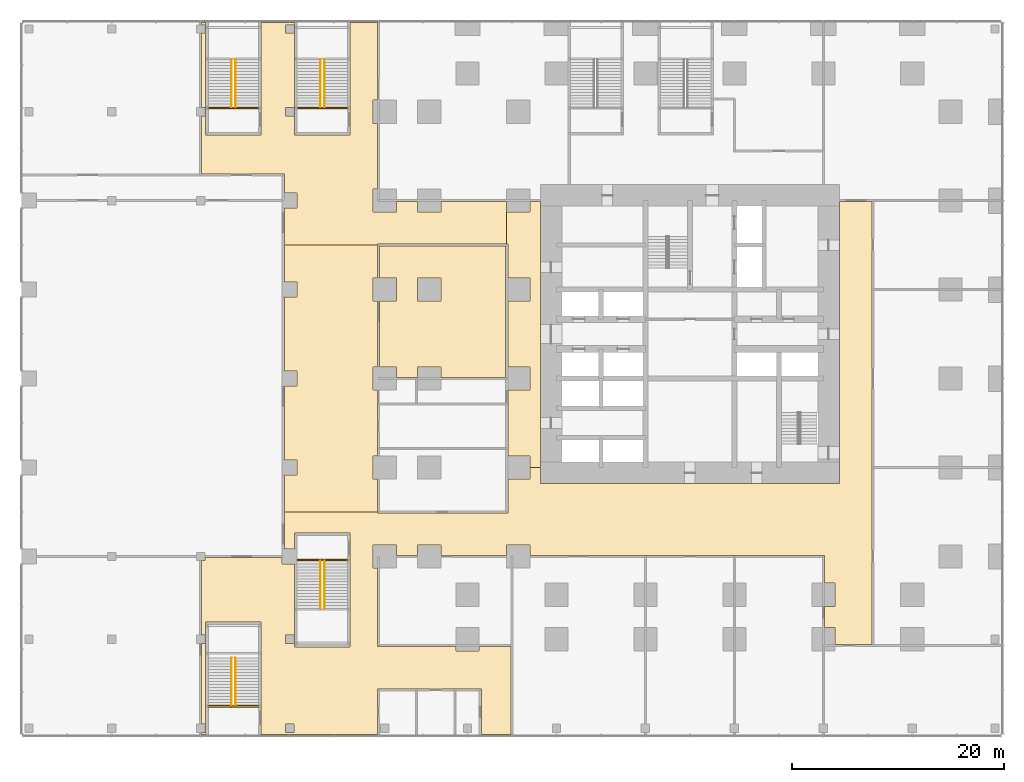
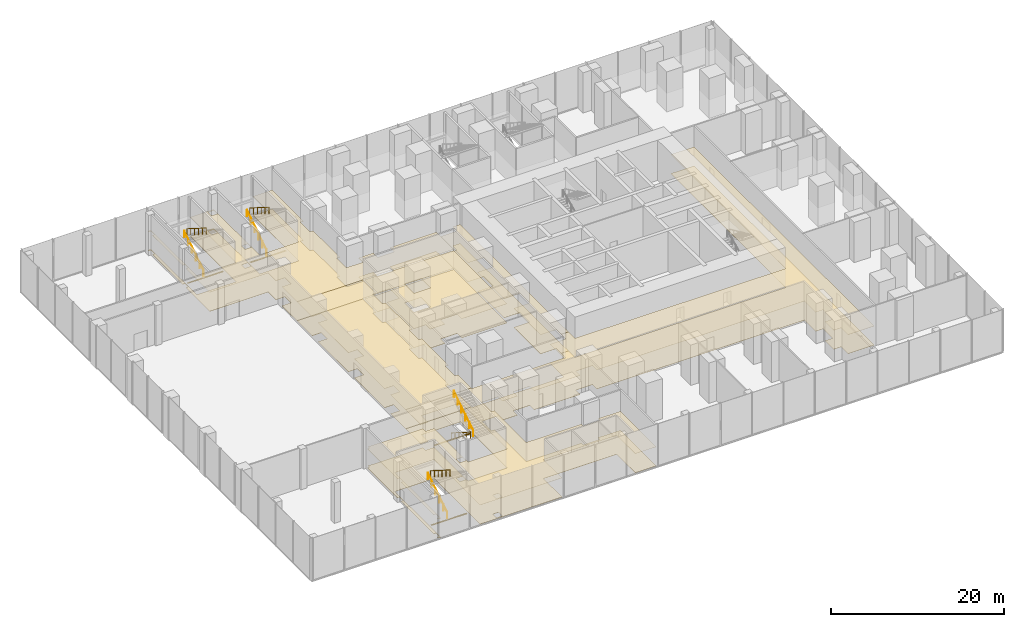
# One storey, part 31 of 32: 14 coverings, 8 railings.
"""IFC4 building model written with IfcOpenShell, lengths in metres."""

from ifc_helpers import new_model, si_unit, direction, frame, origin, origin_2d, place, context, subcontext, project, spatial, polyline, circle, outline, extrude, material, layer, layer_set, type_object, element, save


model = new_model("IFC4")

# Units and contexts
model_context = context("Model", 3, precision=1e-05, world=origin(), true_north=direction((0.0, 1.0)))
body_context = subcontext(model_context, "Body", "Model", "MODEL_VIEW")
ifc_project = project(units=[si_unit("LENGTHUNIT", "METRE"), si_unit("AREAUNIT", "SQUARE_METRE"), si_unit("VOLUMEUNIT", "CUBIC_METRE"), si_unit("PLANEANGLEUNIT", "RADIAN"), si_unit("MASSUNIT", "GRAM", prefix="KILO")], contexts=[model_context])

# Site, building, storey
site_placement = place(None, origin())
site = spatial("IfcSite", under=ifc_project, at=site_placement, CompositionType="ELEMENT")
building_placement = place(site_placement, origin())
building = spatial("IfcBuilding", under=site, at=building_placement, Name="Dunama Terrace Hotel", CompositionType="ELEMENT")
storey_placement = place(building_placement, frame((0.0, 0.0, 6.0)))
storey = spatial("IfcBuildingStorey", under=building, at=storey_placement, Name="L01", CompositionType="ELEMENT", Elevation=6.0)

# Railings
ifc_material_1 = material(Name="Stainless steel handrail", Category="steel")
railing_type = type_object("IfcRailingType", Name="Stair handrail 900", PredefinedType="HANDRAIL", material=ifc_material_1)
railing_1_placement = place(storey_placement, frame((-13.875, 50.824951171875, 0.176513671875)))
element("IfcRailing", 1, at=railing_1_placement, inside=storey, type_object=railing_type, Name="Handrail P1 L01", PredefinedType="HANDRAIL", context=body_context, shape_type="SweptSolid", body=[
    extrude(circle(Radius=0.02392578125, at=origin_2d()), frame((0.0, 0.0, 0.8759765625), z_axis=(0.0, 0.845997938375, 0.533186166611), x_axis=(-1.0, 0.0, 0.0)), (0.0, 0.0, 1.0), 5.29541015625),
    extrude(circle(Radius=0.02099609375, at=origin_2d()), origin(), (0.0, 0.0, 1.0), 0.851806640625),
    extrude(circle(Radius=0.02099609375, at=origin_2d()), frame((0.0, 0.89599609375, 0.564697265625)), (0.0, 0.0, 1.0), 0.851806640625),
    extrude(circle(Radius=0.02099609375, at=origin_2d()), frame((0.0, 1.7919921875, 1.12939453125)), (0.0, 0.0, 1.0), 0.851806640625),
    extrude(circle(Radius=0.02099609375, at=origin_2d()), frame((0.0, 2.68798828125, 1.694091796875)), (0.0, 0.0, 1.0), 0.851806640625),
    extrude(circle(Radius=0.02099609375, at=origin_2d()), frame((0.0, 3.583984375, 2.2587890625)), (0.0, 0.0, 1.0), 0.851806640625),
    extrude(circle(Radius=0.02099609375, at=origin_2d()), frame((0.0, 4.47998046875, 2.823486328125)), (0.0, 0.0, 1.0), 0.851806640625),
])
railing_2_placement = place(storey_placement, frame((-13.52490234375, 55.304931640625, 3.176513671875)))
element("IfcRailing", 2, at=railing_2_placement, inside=storey, type_object=railing_type, Name="Handrail P1 L01", PredefinedType="HANDRAIL", context=body_context, shape_type="SweptSolid", body=[
    extrude(circle(Radius=0.02392578125, at=origin_2d()), frame((0.0, 0.0, 0.8759765625), z_axis=(0.0, -0.845997938375, 0.533186166611), x_axis=(1.0, 0.0, 0.0)), (0.0, 0.0, 1.0), 5.29541015625),
    extrude(circle(Radius=0.02099609375, at=origin_2d()), origin(), (0.0, 0.0, 1.0), 0.851806640625),
    extrude(circle(Radius=0.02099609375, at=origin_2d()), frame((0.0, -0.89599609375, 0.564697265625)), (0.0, 0.0, 1.0), 0.851806640625),
    extrude(circle(Radius=0.02099609375, at=origin_2d()), frame((0.0, -1.7919921875, 1.12939453125)), (0.0, 0.0, 1.0), 0.851806640625),
    extrude(circle(Radius=0.02099609375, at=origin_2d()), frame((0.0, -2.68798828125, 1.694091796875)), (0.0, 0.0, 1.0), 0.851806640625),
    extrude(circle(Radius=0.02099609375, at=origin_2d()), frame((0.0, -3.583984375, 2.2587890625)), (0.0, 0.0, 1.0), 0.851806640625),
    extrude(circle(Radius=0.02099609375, at=origin_2d()), frame((0.0, -4.47998046875, 2.823486328125)), (0.0, 0.0, 1.0), 0.851806640625),
])
railing_3_placement = place(storey_placement, frame((-13.875, -5.64990234375, 0.176513671875)))
element("IfcRailing", 3, at=railing_3_placement, inside=storey, type_object=railing_type, Name="Handrail P2 L01", PredefinedType="HANDRAIL", context=body_context, shape_type="SweptSolid", body=[
    extrude(circle(Radius=0.02392578125, at=origin_2d()), frame((0.0, 0.0, 0.8759765625), z_axis=(0.0, 0.845997938375, 0.533186166611), x_axis=(-1.0, 0.0, 0.0)), (0.0, 0.0, 1.0), 5.29541015625),
    extrude(circle(Radius=0.02099609375, at=origin_2d()), origin(), (0.0, 0.0, 1.0), 0.851806640625),
    extrude(circle(Radius=0.02099609375, at=origin_2d()), frame((0.0, 0.89599609375, 0.564697265625)), (0.0, 0.0, 1.0), 0.851806640625),
    extrude(circle(Radius=0.02099609375, at=origin_2d()), frame((0.0, 1.7919921875, 1.12939453125)), (0.0, 0.0, 1.0), 0.851806640625),
    extrude(circle(Radius=0.02099609375, at=origin_2d()), frame((0.0, 2.68798828125, 1.694091796875)), (0.0, 0.0, 1.0), 0.851806640625),
    extrude(circle(Radius=0.02099609375, at=origin_2d()), frame((0.0, 3.583984375, 2.2587890625)), (0.0, 0.0, 1.0), 0.851806640625),
    extrude(circle(Radius=0.02099609375, at=origin_2d()), frame((0.0, 4.47998046875, 2.823486328125)), (0.0, 0.0, 1.0), 0.851806640625),
])
railing_4_placement = place(storey_placement, frame((-13.52490234375, -1.169921875, 3.176513671875)))
element("IfcRailing", 4, at=railing_4_placement, inside=storey, type_object=railing_type, Name="Handrail P2 L01", PredefinedType="HANDRAIL", context=body_context, shape_type="SweptSolid", body=[
    extrude(circle(Radius=0.02392578125, at=origin_2d()), frame((0.0, 0.0, 0.8759765625), z_axis=(0.0, -0.845997938375, 0.533186166611), x_axis=(1.0, 0.0, 0.0)), (0.0, 0.0, 1.0), 5.29541015625),
    extrude(circle(Radius=0.02099609375, at=origin_2d()), origin(), (0.0, 0.0, 1.0), 0.851806640625),
    extrude(circle(Radius=0.02099609375, at=origin_2d()), frame((0.0, -0.89599609375, 0.564697265625)), (0.0, 0.0, 1.0), 0.851806640625),
    extrude(circle(Radius=0.02099609375, at=origin_2d()), frame((0.0, -1.7919921875, 1.12939453125)), (0.0, 0.0, 1.0), 0.851806640625),
    extrude(circle(Radius=0.02099609375, at=origin_2d()), frame((0.0, -2.68798828125, 1.694091796875)), (0.0, 0.0, 1.0), 0.851806640625),
    extrude(circle(Radius=0.02099609375, at=origin_2d()), frame((0.0, -3.583984375, 2.2587890625)), (0.0, 0.0, 1.0), 0.851806640625),
    extrude(circle(Radius=0.02099609375, at=origin_2d()), frame((0.0, -4.47998046875, 2.823486328125)), (0.0, 0.0, 1.0), 0.851806640625),
])
railing_5_placement = place(storey_placement, frame((-5.47509765625, 50.824951171875, 0.176513671875)))
element("IfcRailing", 5, at=railing_5_placement, inside=storey, type_object=railing_type, Name="Handrail P3 L01", PredefinedType="HANDRAIL", context=body_context, shape_type="SweptSolid", body=[
    extrude(circle(Radius=0.02392578125, at=origin_2d()), frame((0.0, 0.0, 0.8759765625), z_axis=(0.0, 0.845997938375, 0.533186166611), x_axis=(-1.0, 0.0, 0.0)), (0.0, 0.0, 1.0), 5.29541015625),
    extrude(circle(Radius=0.02099609375, at=origin_2d()), origin(), (0.0, 0.0, 1.0), 0.851806640625),
    extrude(circle(Radius=0.02099609375, at=origin_2d()), frame((0.0, 0.89599609375, 0.564697265625)), (0.0, 0.0, 1.0), 0.851806640625),
    extrude(circle(Radius=0.02099609375, at=origin_2d()), frame((0.0, 1.7919921875, 1.12939453125)), (0.0, 0.0, 1.0), 0.851806640625),
    extrude(circle(Radius=0.02099609375, at=origin_2d()), frame((0.0, 2.68798828125, 1.694091796875)), (0.0, 0.0, 1.0), 0.851806640625),
    extrude(circle(Radius=0.02099609375, at=origin_2d()), frame((0.0, 3.583984375, 2.2587890625)), (0.0, 0.0, 1.0), 0.851806640625),
    extrude(circle(Radius=0.02099609375, at=origin_2d()), frame((0.0, 4.47998046875, 2.823486328125)), (0.0, 0.0, 1.0), 0.851806640625),
])
for number, where, name in (
    (6, (-5.125, 55.304931640625, 3.176513671875), "Handrail P3 L01"),
    (7, (-5.47509765625, 7.97509765625, 0.176513671875), "Handrail P4 L01"),
):
    element("IfcRailing", number, at=place(storey_placement, frame(where)), inside=storey, type_object=railing_type, Name=name, PredefinedType="HANDRAIL", context=body_context, shape_type="SweptSolid", body=[
        extrude(circle(Radius=0.02392578125, at=origin_2d()), frame((0.0, 0.0, 0.8759765625), z_axis=(0.0, -0.845997938375, 0.533186166611), x_axis=(1.0, 0.0, 0.0)), (0.0, 0.0, 1.0), 5.29541015625),
        extrude(circle(Radius=0.02099609375, at=origin_2d()), origin(), (0.0, 0.0, 1.0), 0.851806640625),
        extrude(circle(Radius=0.02099609375, at=origin_2d()), frame((0.0, -0.89599609375, 0.564697265625)), (0.0, 0.0, 1.0), 0.851806640625),
        extrude(circle(Radius=0.02099609375, at=origin_2d()), frame((0.0, -1.7919921875, 1.12939453125)), (0.0, 0.0, 1.0), 0.851806640625),
        extrude(circle(Radius=0.02099609375, at=origin_2d()), frame((0.0, -2.68798828125, 1.694091796875)), (0.0, 0.0, 1.0), 0.851806640625),
        extrude(circle(Radius=0.02099609375, at=origin_2d()), frame((0.0, -3.583984375, 2.2587890625)), (0.0, 0.0, 1.0), 0.851806640625),
        extrude(circle(Radius=0.02099609375, at=origin_2d()), frame((0.0, -4.47998046875, 2.823486328125)), (0.0, 0.0, 1.0), 0.851806640625),
    ])
railing_6_placement = place(storey_placement, frame((-5.125, 3.4951171875, 3.176513671875)))
element("IfcRailing", 8, at=railing_6_placement, inside=storey, type_object=railing_type, Name="Handrail P4 L01", PredefinedType="HANDRAIL", context=body_context, shape_type="SweptSolid", body=[
    extrude(circle(Radius=0.02392578125, at=origin_2d()), frame((0.0, 0.0, 0.8759765625), z_axis=(0.0, 0.845997938375, 0.533186166611), x_axis=(-1.0, 0.0, 0.0)), (0.0, 0.0, 1.0), 5.29541015625),
    extrude(circle(Radius=0.02099609375, at=origin_2d()), origin(), (0.0, 0.0, 1.0), 0.851806640625),
    extrude(circle(Radius=0.02099609375, at=origin_2d()), frame((0.0, 0.89599609375, 0.564697265625)), (0.0, 0.0, 1.0), 0.851806640625),
    extrude(circle(Radius=0.02099609375, at=origin_2d()), frame((0.0, 1.7919921875, 1.12939453125)), (0.0, 0.0, 1.0), 0.851806640625),
    extrude(circle(Radius=0.02099609375, at=origin_2d()), frame((0.0, 2.68798828125, 1.694091796875)), (0.0, 0.0, 1.0), 0.851806640625),
    extrude(circle(Radius=0.02099609375, at=origin_2d()), frame((0.0, 3.583984375, 2.2587890625)), (0.0, 0.0, 1.0), 0.851806640625),
    extrude(circle(Radius=0.02099609375, at=origin_2d()), frame((0.0, 4.47998046875, 2.823486328125)), (0.0, 0.0, 1.0), 0.851806640625),
])

# Coverings
ifc_material_2 = material(Name="Natural stone floor tiles", Category="masonry")
ifc_layer_1 = layer(ifc_material_2, 0.030029296875)
ifc_layer_set_1 = layer_set([ifc_layer_1], Name="Stone floor finish 30")
covering_type_1 = type_object("IfcCoveringType", Name="Stone floor finish 30", PredefinedType="FLOORING", material=ifc_layer_set_1)
covering_1_placement = place(storey_placement, origin())
element("IfcCovering", 9, at=covering_1_placement, inside=storey, type_object=covering_type_1, Name="Stair threshold P1 L01", PredefinedType="FLOORING", context=body_context, shape_type="SweptSolid", body=[
    extrude(outline(polyline([(-11.324951171875, 50.659912109375), (-11.324951171875, 50.824951171875), (-16.074951171875, 50.824951171875), (-16.074951171875, 50.659912109375), (-11.324951171875, 50.659912109375)])), origin(), (0.0, 0.0, 1.0), 0.030029296875),
])
covering_2_placement = place(storey_placement, origin())
element("IfcCovering", 10, at=covering_2_placement, inside=storey, type_object=covering_type_1, Name="Stair threshold P2 L01", PredefinedType="FLOORING", context=body_context, shape_type="SweptSolid", body=[
    extrude(outline(polyline([(-11.324951171875, -5.81494140625), (-11.324951171875, -5.64990234375), (-16.074951171875, -5.64990234375), (-16.074951171875, -5.81494140625), (-11.324951171875, -5.81494140625)])), origin(), (0.0, 0.0, 1.0), 0.030029296875),
])
covering_3_placement = place(storey_placement, origin())
element("IfcCovering", 11, at=covering_3_placement, inside=storey, type_object=covering_type_1, Name="Stair threshold P3 L01", PredefinedType="FLOORING", context=body_context, shape_type="SweptSolid", body=[
    extrude(outline(polyline([(-2.925048828125, 50.659912109375), (-2.925048828125, 50.824951171875), (-7.675048828125, 50.824951171875), (-7.675048828125, 50.659912109375), (-2.925048828125, 50.659912109375)])), origin(), (0.0, 0.0, 1.0), 0.030029296875),
])
covering_4_placement = place(storey_placement, origin())
element("IfcCovering", 12, at=covering_4_placement, inside=storey, type_object=covering_type_1, Name="Stair threshold P4 L01", PredefinedType="FLOORING", context=body_context, shape_type="SweptSolid", body=[
    extrude(outline(polyline([(-2.925048828125, 7.97509765625), (-2.925048828125, 8.139892578125), (-7.675048828125, 8.139892578125), (-7.675048828125, 7.97509765625), (-2.925048828125, 7.97509765625)])), origin(), (0.0, 0.0, 1.0), 0.030029296875),
])
covering_5_placement = place(storey_placement, origin())
element("IfcCovering", 13, at=covering_5_placement, inside=storey, type_object=covering_type_1, Name="Floor finish L01-34", PredefinedType="FLOORING", context=body_context, shape_type="SweptSolid", body=[
    extrude(outline(polyline([(-8.89990234375, 12.60009765625), (-0.10009765625, 12.60009765625), (-0.10009765625, 12.699951171875), (-0.10009765625, 15.699951171875), (-0.5, 15.699951171875), (-0.5, 17.89990234375), (-0.10009765625, 17.89990234375), (-0.10009765625, 24.10009765625), (-0.5, 24.10009765625), (-0.5, 26.300048828125), (-0.10009765625, 26.300048828125), (-0.10009765625, 32.5), (-0.5, 32.5), (-0.5, 34.699951171875), (-0.10009765625, 34.699951171875), (-0.10009765625, 37.699951171875), (-0.10009765625, 37.800048828125), (-8.89990234375, 37.800048828125), (-8.89990234375, 34.300048828125), (-7.699951171875, 34.300048828125), (-7.699951171875, 32.89990234375), (-8.89990234375, 32.89990234375), (-8.89990234375, 25.89990234375), (-7.699951171875, 25.89990234375), (-7.699951171875, 24.5), (-8.89990234375, 24.5), (-8.89990234375, 17.5), (-7.699951171875, 17.5), (-7.699951171875, 16.10009765625), (-8.89990234375, 16.10009765625), (-8.89990234375, 12.60009765625)])), origin(), (0.0, 0.0, 1.0), 0.030029296875),
])
covering_6_placement = place(storey_placement, origin())
element("IfcCovering", 14, at=covering_6_placement, inside=storey, type_object=covering_type_1, Name="Floor finish L01-39", PredefinedType="FLOORING", context=body_context, shape_type="SweptSolid", body=[
    extrude(outline(polyline([(0.10009765625, 34.699951171875), (1.699951171875, 34.699951171875), (1.699951171875, 32.5), (0.10009765625, 32.5), (0.10009765625, 26.300048828125), (1.699951171875, 26.300048828125), (1.699951171875, 25.27490234375), (3.52490234375, 25.27490234375), (3.675048828125, 25.27490234375), (3.699951171875, 25.27490234375), (3.699951171875, 26.300048828125), (5.89990234375, 26.300048828125), (5.89990234375, 25.27490234375), (12.0, 25.27490234375), (12.0, 25.300048828125), (12.0, 37.699951171875), (0.10009765625, 37.699951171875), (0.10009765625, 34.699951171875)]), holes=[polyline([(5.89990234375, 34.699951171875), (5.89990234375, 32.5), (3.699951171875, 32.5), (3.699951171875, 34.699951171875), (5.89990234375, 34.699951171875)])]), origin(), (0.0, 0.0, 1.0), 0.030029296875),
])
covering_7_placement = place(storey_placement, origin())
element("IfcCovering", 15, at=covering_7_placement, inside=storey, type_object=covering_type_1, Name="Floor finish L01-47", PredefinedType="FLOORING", context=body_context, shape_type="SweptSolid", body=[
    extrude(outline(polyline([(14.300048828125, 16.800048828125), (15.300048828125, 16.800048828125), (15.300048828125, 17.300048828125), (15.300048828125, 41.5), (15.300048828125, 41.89990234375), (14.300048828125, 41.89990234375), (14.300048828125, 40.89990234375), (12.10009765625, 40.89990234375), (12.10009765625, 37.89990234375), (12.199951171875, 37.89990234375), (12.199951171875, 37.699951171875), (12.199951171875, 34.699951171875), (14.300048828125, 34.699951171875), (14.300048828125, 32.5), (12.199951171875, 32.5), (12.199951171875, 26.300048828125), (14.300048828125, 26.300048828125), (14.300048828125, 24.10009765625), (12.199951171875, 24.10009765625), (12.199951171875, 17.89990234375), (14.300048828125, 17.89990234375), (14.300048828125, 16.800048828125)])), origin(), (0.0, 0.0, 1.0), 0.030029296875),
])
covering_8_placement = place(storey_placement, origin())
element("IfcCovering", 16, at=covering_8_placement, inside=storey, type_object=covering_type_1, Name="Floor finish L01-48", PredefinedType="FLOORING", context=body_context, shape_type="SweptSolid", body=[
    extrude(outline(polyline([(-11.074951171875, -8.39990234375), (-0.10009765625, -8.39990234375), (-0.10009765625, -4.300048828125), (-0.10009765625, -4.199951171875), (-0.10009765625, -4.10009765625), (0.10009765625, -4.10009765625), (9.5, -4.10009765625), (9.60009765625, -4.10009765625), (9.699951171875, -4.10009765625), (9.699951171875, -4.300048828125), (9.699951171875, -8.39990234375), (12.5, -8.39990234375), (12.5, -0.10009765625), (9.5, -0.10009765625), (9.5, -0.5), (7.300048828125, -0.5), (7.300048828125, -0.10009765625), (0.10009765625, -0.10009765625), (0.0, -0.10009765625), (-0.10009765625, -0.10009765625), (-0.10009765625, 0.10009765625), (-0.10009765625, 7.300048828125), (-0.5, 7.300048828125), (-0.5, 9.5), (1.699951171875, 9.5), (1.699951171875, 8.5), (3.699951171875, 8.5), (3.699951171875, 9.5), (5.89990234375, 9.5), (5.89990234375, 8.5), (12.10009765625, 8.5), (12.10009765625, 9.5), (14.300048828125, 9.5), (14.300048828125, 8.5), (41.89990234375, 8.5), (42.0, 8.5), (42.10009765625, 8.5), (42.10009765625, 8.300048828125), (42.10009765625, 5.89990234375), (43.10009765625, 5.89990234375), (43.10009765625, 3.699951171875), (42.10009765625, 3.699951171875), (42.10009765625, 1.699951171875), (43.10009765625, 1.699951171875), (43.10009765625, 0.10009765625), (46.60009765625, 0.10009765625), (46.60009765625, 41.89990234375), (43.5, 41.89990234375), (43.5, 41.5), (43.5, 17.300048828125), (43.5, 16.300048828125), (43.5, 15.300048828125), (41.5, 15.300048828125), (17.300048828125, 15.300048828125), (16.300048828125, 15.300048828125), (15.300048828125, 15.300048828125), (15.300048828125, 16.800048828125), (14.300048828125, 16.800048828125), (14.300048828125, 15.699951171875), (12.199951171875, 15.699951171875), (12.199951171875, 12.699951171875), (12.199951171875, 12.60009765625), (12.199951171875, 12.5), (12.0, 12.5), (0.10009765625, 12.5), (0.0, 12.5), (-0.10009765625, 12.5), (-0.10009765625, 12.60009765625), (-8.89990234375, 12.60009765625), (-8.89990234375, 9.10009765625), (-7.925048828125, 9.10009765625), (-7.925048828125, 10.375), (-7.925048828125, 10.5), (-7.925048828125, 10.625), (-7.675048828125, 10.625), (-2.925048828125, 10.625), (-2.800048828125, 10.625), (-2.675048828125, 10.625), (-2.675048828125, 10.375), (-2.675048828125, 0.125), (-2.675048828125, 0.0), (-2.675048828125, -0.125), (-2.925048828125, -0.125), (-7.675048828125, -0.125), (-7.800048828125, -0.125), (-7.925048828125, -0.125), (-7.925048828125, 0.125), (-7.925048828125, 7.699951171875), (-9.10009765625, 7.699951171875), (-9.10009765625, 8.300048828125), (-16.39990234375, 8.300048828125), (-16.39990234375, 8.0), (-16.699951171875, 8.0), (-16.699951171875, 1.0), (-16.39990234375, 1.0), (-16.39990234375, 0.199951171875), (-16.699951171875, 0.199951171875), (-16.699951171875, -7.39990234375), (-16.39990234375, -7.39990234375), (-16.39990234375, -8.199951171875), (-16.699951171875, -8.199951171875), (-16.699951171875, -8.39990234375), (-16.324951171875, -8.39990234375), (-16.324951171875, 1.97509765625), (-16.324951171875, 2.10009765625), (-16.324951171875, 2.22509765625), (-16.074951171875, 2.22509765625), (-11.324951171875, 2.22509765625), (-11.199951171875, 2.22509765625), (-11.074951171875, 2.22509765625), (-11.074951171875, 1.97509765625), (-11.074951171875, -8.39990234375)]), holes=[polyline([(-8.0, -7.39990234375), (-8.0, -8.199951171875), (-8.800048828125, -8.199951171875), (-8.800048828125, -7.39990234375), (-8.0, -7.39990234375)]), polyline([(-8.0, 1.0), (-8.0, 0.199951171875), (-8.800048828125, 0.199951171875), (-8.800048828125, 1.0), (-8.0, 1.0)])]), origin(), (0.0, 0.0, 1.0), 0.030029296875),
])
covering_9_placement = place(storey_placement, origin())
element("IfcCovering", 17, at=covering_9_placement, inside=storey, type_object=covering_type_1, Name="Floor finish L01-49", PredefinedType="FLOORING", context=body_context, shape_type="SweptSolid", body=[
    extrude(outline(polyline([(-7.925048828125, 58.800048828125), (-11.074951171875, 58.800048828125), (-11.074951171875, 48.425048828125), (-11.074951171875, 48.300048828125), (-11.074951171875, 48.175048828125), (-11.324951171875, 48.175048828125), (-16.074951171875, 48.175048828125), (-16.199951171875, 48.175048828125), (-16.324951171875, 48.175048828125), (-16.324951171875, 48.425048828125), (-16.324951171875, 58.800048828125), (-16.699951171875, 58.800048828125), (-16.699951171875, 58.60009765625), (-16.39990234375, 58.60009765625), (-16.39990234375, 57.800048828125), (-16.699951171875, 57.800048828125), (-16.699951171875, 50.800048828125), (-16.39990234375, 50.800048828125), (-16.39990234375, 50.0), (-16.699951171875, 50.0), (-16.699951171875, 44.5), (-9.10009765625, 44.5), (-9.0, 44.5), (-8.89990234375, 44.5), (-8.89990234375, 44.300048828125), (-8.89990234375, 42.699951171875), (-7.699951171875, 42.699951171875), (-7.699951171875, 41.300048828125), (-8.89990234375, 41.300048828125), (-8.89990234375, 37.800048828125), (-0.10009765625, 37.800048828125), (-0.10009765625, 37.89990234375), (0.10009765625, 37.89990234375), (12.0, 37.89990234375), (12.10009765625, 37.89990234375), (12.10009765625, 40.89990234375), (12.10009765625, 41.89990234375), (5.89990234375, 41.89990234375), (5.89990234375, 40.89990234375), (3.699951171875, 40.89990234375), (3.699951171875, 41.89990234375), (1.699951171875, 41.89990234375), (1.699951171875, 40.89990234375), (-0.5, 40.89990234375), (-0.5, 43.10009765625), (-0.10009765625, 43.10009765625), (-0.10009765625, 49.300048828125), (-0.5, 49.300048828125), (-0.5, 51.5), (-0.10009765625, 51.5), (-0.10009765625, 58.800048828125), (-2.675048828125, 58.800048828125), (-2.675048828125, 48.425048828125), (-2.675048828125, 48.300048828125), (-2.675048828125, 48.175048828125), (-2.925048828125, 48.175048828125), (-7.675048828125, 48.175048828125), (-7.800048828125, 48.175048828125), (-7.925048828125, 48.175048828125), (-7.925048828125, 48.425048828125), (-7.925048828125, 58.800048828125)]), holes=[polyline([(-8.0, 50.800048828125), (-8.0, 50.0), (-8.800048828125, 50.0), (-8.800048828125, 50.800048828125), (-8.0, 50.800048828125)]), polyline([(-8.0, 58.60009765625), (-8.0, 57.800048828125), (-8.800048828125, 57.800048828125), (-8.800048828125, 58.60009765625), (-8.0, 58.60009765625)])]), origin(), (0.0, 0.0, 1.0), 0.030029296875),
])
ifc_material_3 = material(Name="Gypsum plasterboard ceiling")
ifc_layer_2 = layer(ifc_material_3, 0.02001953125)
ifc_layer_set_2 = layer_set([ifc_layer_2], Name="Suspended ceiling 20")
covering_type_2 = type_object("IfcCoveringType", Name="Suspended ceiling 20", PredefinedType="CEILING", material=ifc_layer_set_2)
covering_10_placement = place(storey_placement, frame((0.0, 0.0, 2.699951171875)))
element("IfcCovering", 18, at=covering_10_placement, inside=storey, type_object=covering_type_2, Name="Ceiling L01-34", PredefinedType="CEILING", context=body_context, shape_type="SweptSolid", body=[
    extrude(outline(polyline([(-8.89990234375, 16.10009765625), (-8.89990234375, 12.60009765625), (-0.10009765625, 12.60009765625), (-0.10009765625, 12.699951171875), (-0.10009765625, 15.699951171875), (-0.5, 15.699951171875), (-0.5, 17.89990234375), (-0.10009765625, 17.89990234375), (-0.10009765625, 24.10009765625), (-0.5, 24.10009765625), (-0.5, 26.300048828125), (-0.10009765625, 26.300048828125), (-0.10009765625, 32.5), (-0.5, 32.5), (-0.5, 34.699951171875), (-0.10009765625, 34.699951171875), (-0.10009765625, 37.699951171875), (-0.10009765625, 37.800048828125), (-8.89990234375, 37.800048828125), (-8.89990234375, 34.300048828125), (-7.699951171875, 34.300048828125), (-7.699951171875, 32.89990234375), (-8.89990234375, 32.89990234375), (-8.89990234375, 25.89990234375), (-7.699951171875, 25.89990234375), (-7.699951171875, 24.5), (-8.89990234375, 24.5), (-8.89990234375, 17.5), (-7.699951171875, 17.5), (-7.699951171875, 16.10009765625), (-8.89990234375, 16.10009765625)])), origin(), (0.0, 0.0, 1.0), 0.02001953125),
])
covering_11_placement = place(storey_placement, frame((0.0, 0.0, 2.699951171875)))
element("IfcCovering", 19, at=covering_11_placement, inside=storey, type_object=covering_type_2, Name="Ceiling L01-39", PredefinedType="CEILING", context=body_context, shape_type="SweptSolid", body=[
    extrude(outline(polyline([(0.10009765625, 37.699951171875), (0.10009765625, 34.699951171875), (1.699951171875, 34.699951171875), (1.699951171875, 32.5), (0.10009765625, 32.5), (0.10009765625, 26.300048828125), (1.699951171875, 26.300048828125), (1.699951171875, 25.27490234375), (3.52490234375, 25.27490234375), (3.675048828125, 25.27490234375), (3.699951171875, 25.27490234375), (3.699951171875, 26.300048828125), (5.89990234375, 26.300048828125), (5.89990234375, 25.27490234375), (12.0, 25.27490234375), (12.0, 25.300048828125), (12.0, 37.699951171875), (0.10009765625, 37.699951171875)]), holes=[polyline([(3.699951171875, 34.699951171875), (5.89990234375, 34.699951171875), (5.89990234375, 32.5), (3.699951171875, 32.5), (3.699951171875, 34.699951171875)])]), origin(), (0.0, 0.0, 1.0), 0.02001953125),
])
covering_12_placement = place(storey_placement, frame((0.0, 0.0, 2.699951171875)))
element("IfcCovering", 20, at=covering_12_placement, inside=storey, type_object=covering_type_2, Name="Ceiling L01-47", PredefinedType="CEILING", context=body_context, shape_type="SweptSolid", body=[
    extrude(outline(polyline([(14.300048828125, 17.89990234375), (14.300048828125, 16.800048828125), (15.300048828125, 16.800048828125), (15.300048828125, 17.300048828125), (15.300048828125, 41.5), (15.300048828125, 41.89990234375), (14.300048828125, 41.89990234375), (14.300048828125, 40.89990234375), (12.10009765625, 40.89990234375), (12.10009765625, 37.89990234375), (12.199951171875, 37.89990234375), (12.199951171875, 37.699951171875), (12.199951171875, 34.699951171875), (14.300048828125, 34.699951171875), (14.300048828125, 32.5), (12.199951171875, 32.5), (12.199951171875, 26.300048828125), (14.300048828125, 26.300048828125), (14.300048828125, 24.10009765625), (12.199951171875, 24.10009765625), (12.199951171875, 17.89990234375), (14.300048828125, 17.89990234375)])), origin(), (0.0, 0.0, 1.0), 0.02001953125),
])
covering_13_placement = place(storey_placement, frame((0.0, 0.0, 2.699951171875)))
element("IfcCovering", 21, at=covering_13_placement, inside=storey, type_object=covering_type_2, Name="Ceiling L01-48", PredefinedType="CEILING", context=body_context, shape_type="SweptSolid", body=[
    extrude(outline(polyline([(-11.074951171875, 1.97509765625), (-11.074951171875, -8.39990234375), (-0.10009765625, -8.39990234375), (-0.10009765625, -4.300048828125), (-0.10009765625, -4.199951171875), (-0.10009765625, -4.10009765625), (0.10009765625, -4.10009765625), (9.5, -4.10009765625), (9.60009765625, -4.10009765625), (9.699951171875, -4.10009765625), (9.699951171875, -4.300048828125), (9.699951171875, -8.39990234375), (12.5, -8.39990234375), (12.5, -0.10009765625), (9.5, -0.10009765625), (9.5, -0.5), (7.300048828125, -0.5), (7.300048828125, -0.10009765625), (0.10009765625, -0.10009765625), (0.0, -0.10009765625), (-0.10009765625, -0.10009765625), (-0.10009765625, 0.10009765625), (-0.10009765625, 7.300048828125), (-0.5, 7.300048828125), (-0.5, 9.5), (1.699951171875, 9.5), (1.699951171875, 8.5), (3.699951171875, 8.5), (3.699951171875, 9.5), (5.89990234375, 9.5), (5.89990234375, 8.5), (12.10009765625, 8.5), (12.10009765625, 9.5), (14.300048828125, 9.5), (14.300048828125, 8.5), (41.89990234375, 8.5), (42.0, 8.5), (42.10009765625, 8.5), (42.10009765625, 8.300048828125), (42.10009765625, 5.89990234375), (43.10009765625, 5.89990234375), (43.10009765625, 3.699951171875), (42.10009765625, 3.699951171875), (42.10009765625, 1.699951171875), (43.10009765625, 1.699951171875), (43.10009765625, 0.10009765625), (46.60009765625, 0.10009765625), (46.60009765625, 41.89990234375), (43.5, 41.89990234375), (43.5, 41.5), (43.5, 17.300048828125), (43.5, 16.300048828125), (43.5, 15.300048828125), (41.5, 15.300048828125), (17.300048828125, 15.300048828125), (16.300048828125, 15.300048828125), (15.300048828125, 15.300048828125), (15.300048828125, 16.800048828125), (14.300048828125, 16.800048828125), (14.300048828125, 15.699951171875), (12.199951171875, 15.699951171875), (12.199951171875, 12.699951171875), (12.199951171875, 12.60009765625), (12.199951171875, 12.5), (12.0, 12.5), (0.10009765625, 12.5), (0.0, 12.5), (-0.10009765625, 12.5), (-0.10009765625, 12.60009765625), (-8.89990234375, 12.60009765625), (-8.89990234375, 9.10009765625), (-7.925048828125, 9.10009765625), (-7.925048828125, 10.375), (-7.925048828125, 10.5), (-7.925048828125, 10.625), (-7.675048828125, 10.625), (-2.925048828125, 10.625), (-2.800048828125, 10.625), (-2.675048828125, 10.625), (-2.675048828125, 10.375), (-2.675048828125, 0.125), (-2.675048828125, 0.0), (-2.675048828125, -0.125), (-2.925048828125, -0.125), (-7.675048828125, -0.125), (-7.800048828125, -0.125), (-7.925048828125, -0.125), (-7.925048828125, 0.125), (-7.925048828125, 7.699951171875), (-9.10009765625, 7.699951171875), (-9.10009765625, 8.300048828125), (-16.39990234375, 8.300048828125), (-16.39990234375, 8.0), (-16.699951171875, 8.0), (-16.699951171875, 1.0), (-16.39990234375, 1.0), (-16.39990234375, 0.199951171875), (-16.699951171875, 0.199951171875), (-16.699951171875, -7.39990234375), (-16.39990234375, -7.39990234375), (-16.39990234375, -8.199951171875), (-16.699951171875, -8.199951171875), (-16.699951171875, -8.39990234375), (-16.324951171875, -8.39990234375), (-16.324951171875, 1.97509765625), (-16.324951171875, 2.10009765625), (-16.324951171875, 2.22509765625), (-16.074951171875, 2.22509765625), (-11.324951171875, 2.22509765625), (-11.199951171875, 2.22509765625), (-11.074951171875, 2.22509765625), (-11.074951171875, 1.97509765625)]), holes=[polyline([(-8.800048828125, -7.39990234375), (-8.0, -7.39990234375), (-8.0, -8.199951171875), (-8.800048828125, -8.199951171875), (-8.800048828125, -7.39990234375)]), polyline([(-8.800048828125, 1.0), (-8.0, 1.0), (-8.0, 0.199951171875), (-8.800048828125, 0.199951171875), (-8.800048828125, 1.0)])]), origin(), (0.0, 0.0, 1.0), 0.02001953125),
])
covering_14_placement = place(storey_placement, frame((0.0, 0.0, 2.699951171875)))
element("IfcCovering", 22, at=covering_14_placement, inside=storey, type_object=covering_type_2, Name="Ceiling L01-49", PredefinedType="CEILING", context=body_context, shape_type="SweptSolid", body=[
    extrude(outline(polyline([(-7.925048828125, 48.425048828125), (-7.925048828125, 58.800048828125), (-11.074951171875, 58.800048828125), (-11.074951171875, 48.425048828125), (-11.074951171875, 48.300048828125), (-11.074951171875, 48.175048828125), (-11.324951171875, 48.175048828125), (-16.074951171875, 48.175048828125), (-16.199951171875, 48.175048828125), (-16.324951171875, 48.175048828125), (-16.324951171875, 48.425048828125), (-16.324951171875, 58.800048828125), (-16.699951171875, 58.800048828125), (-16.699951171875, 58.60009765625), (-16.39990234375, 58.60009765625), (-16.39990234375, 57.800048828125), (-16.699951171875, 57.800048828125), (-16.699951171875, 50.800048828125), (-16.39990234375, 50.800048828125), (-16.39990234375, 50.0), (-16.699951171875, 50.0), (-16.699951171875, 44.5), (-9.10009765625, 44.5), (-9.0, 44.5), (-8.89990234375, 44.5), (-8.89990234375, 44.300048828125), (-8.89990234375, 42.699951171875), (-7.699951171875, 42.699951171875), (-7.699951171875, 41.300048828125), (-8.89990234375, 41.300048828125), (-8.89990234375, 37.800048828125), (-0.10009765625, 37.800048828125), (-0.10009765625, 37.89990234375), (0.10009765625, 37.89990234375), (12.0, 37.89990234375), (12.10009765625, 37.89990234375), (12.10009765625, 40.89990234375), (12.10009765625, 41.89990234375), (5.89990234375, 41.89990234375), (5.89990234375, 40.89990234375), (3.699951171875, 40.89990234375), (3.699951171875, 41.89990234375), (1.699951171875, 41.89990234375), (1.699951171875, 40.89990234375), (-0.5, 40.89990234375), (-0.5, 43.10009765625), (-0.10009765625, 43.10009765625), (-0.10009765625, 49.300048828125), (-0.5, 49.300048828125), (-0.5, 51.5), (-0.10009765625, 51.5), (-0.10009765625, 58.800048828125), (-2.675048828125, 58.800048828125), (-2.675048828125, 48.425048828125), (-2.675048828125, 48.300048828125), (-2.675048828125, 48.175048828125), (-2.925048828125, 48.175048828125), (-7.675048828125, 48.175048828125), (-7.800048828125, 48.175048828125), (-7.925048828125, 48.175048828125), (-7.925048828125, 48.425048828125)]), holes=[polyline([(-8.800048828125, 50.800048828125), (-8.0, 50.800048828125), (-8.0, 50.0), (-8.800048828125, 50.0), (-8.800048828125, 50.800048828125)]), polyline([(-8.800048828125, 58.60009765625), (-8.0, 58.60009765625), (-8.0, 57.800048828125), (-8.800048828125, 57.800048828125), (-8.800048828125, 58.60009765625)])]), origin(), (0.0, 0.0, 1.0), 0.02001953125),
])

save(model, "model.ifc")
